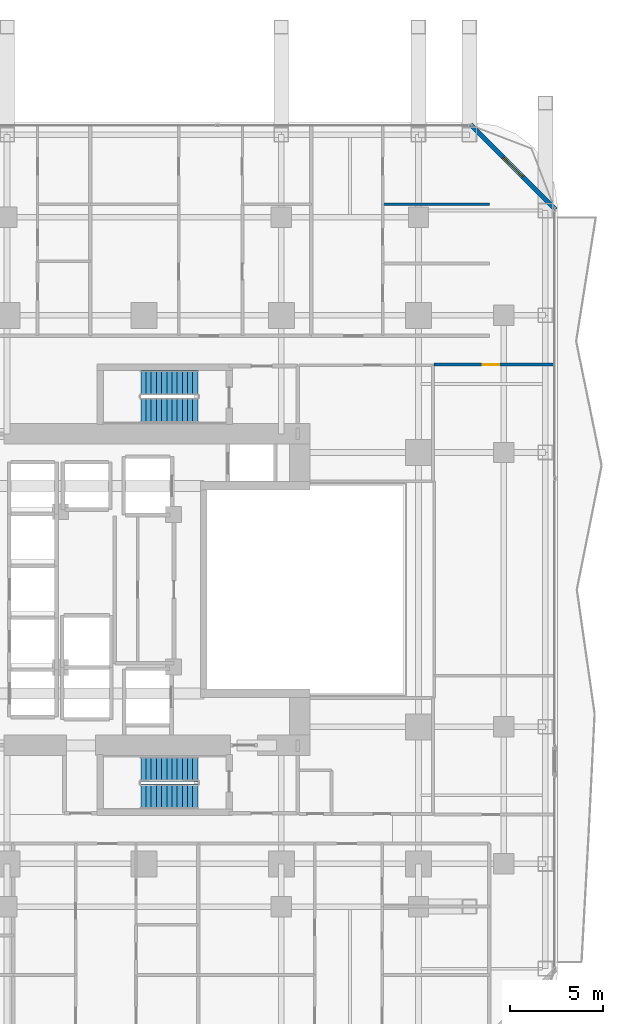
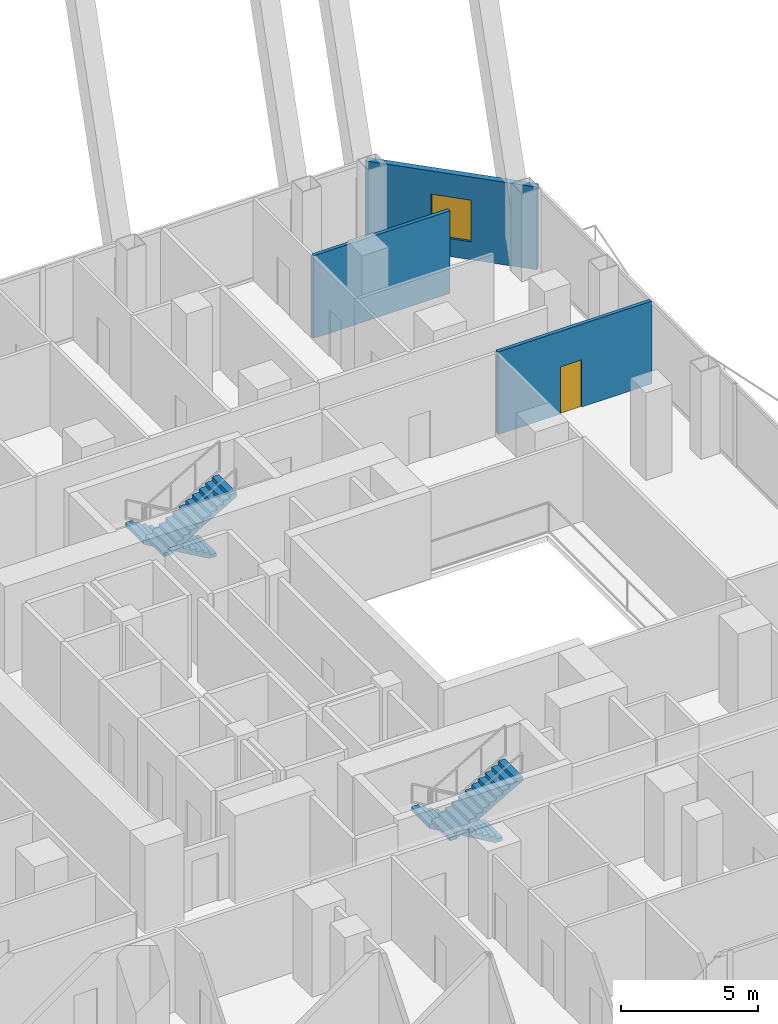
# One storey, part 28 of 33: 4 stair flights, 3 walls, 1 door, 1 window, 2 openings, 2 elements without a shape of their own.
"""IFC4 building model written with IfcOpenShell, lengths in metres."""

from ifc_helpers import new_model, si_unit, direction, frame, frame_2d, origin, place, context, subcontext, project, spatial, polyline, rectangle, outline, extrude, material, layer, layer_set, type_object, element, fill, aggregate, save


model = new_model("IFC4")

# Units and contexts
model_context = context("Model", 3, precision=1e-05, world=origin(), true_north=direction((0.0, 1.0)))
body_context = subcontext(model_context, "Body", "Model", "MODEL_VIEW")
ifc_project = project(units=[si_unit("LENGTHUNIT", "METRE"), si_unit("AREAUNIT", "SQUARE_METRE"), si_unit("VOLUMEUNIT", "CUBIC_METRE"), si_unit("PLANEANGLEUNIT", "RADIAN"), si_unit("MASSUNIT", "GRAM", prefix="KILO")], contexts=[model_context])

# Site, building, storey
site_placement = place(None, origin())
site = spatial("IfcSite", under=ifc_project, at=site_placement, CompositionType="ELEMENT")
building_placement = place(site_placement, origin())
building = spatial("IfcBuilding", under=site, at=building_placement, Name="Khorvyn Point Tower", CompositionType="ELEMENT")
storey_placement = place(building_placement, frame((0.0, 0.0, 65.699951171875)))
storey = spatial("IfcBuildingStorey", under=building, at=storey_placement, Name="L17", CompositionType="ELEMENT", Elevation=65.699951171875)

# Wall, opening, window
ifc_material_1 = material(Name="Pale anodised aluminium rainscreen on steel stud", Category="steel")
ifc_layer_1 = layer(ifc_material_1, 0.239990234375)
ifc_layer_set_1 = layer_set([ifc_layer_1], Name="Anodised Aluminium Insulated Corner Spandrel Wall 240")
wall_type_1 = type_object("IfcWallType", Name="Anodised Aluminium Insulated Corner Spandrel Wall 240", PredefinedType="SOLIDWALL", material=ifc_layer_set_1)
wall_1_placement = place(storey_placement, frame((17.607666015625, 25.09228515625, 0.0), z_axis=(0.0, 0.0, 1.0), x_axis=(0.707106781187, -0.707106781187, 0.0)))
wall_1 = element("IfcWall", 1, at=wall_1_placement, inside=storey, type_object=wall_type_1, Name="L17 Rounded Corner Wall NE", PredefinedType="SOLIDWALL", context=body_context, shape_type="SweptSolid", body=[
    extrude(rectangle(XDim=6.48388671875, YDim=0.239990234375, at=frame_2d((3.241943359375, 0.0))), origin(), (0.0, 0.0, 1.0), 3.679931640625),
])
opening_1_placement = place(wall_1_placement, frame((2.491943359375, 0.0, 0.800048828125)))
opening_1 = element("IfcOpeningElement", 2, at=opening_1_placement, cuts=wall_1, Name="Opening WN-1518", PredefinedType="OPENING", context=body_context, shape_type="SweptSolid", body=[
    extrude(rectangle(XDim=1.5, YDim=1.85009765625, at=frame_2d((0.75, 0.925048828125))), frame((0.0, 0.1298828125, 0.0), z_axis=(0.0, -1.0, 0.0), x_axis=(1.0, 0.0, 0.0)), (0.0, 0.0, 1.0), 0.260009765625),
])
ifc_material_2 = material(Name="Anodised aluminium 6063-T6 and laminated Low-E glass", Category="aluminium")
window_type = type_object("IfcWindowType", Name="Anodised Aluminium Rounded-Corner Panoramic Window 1500x1850", PartitioningType="SINGLE_PANEL", PredefinedType="WINDOW", material=ifc_material_2)
window_placement = place(opening_1_placement, origin())
window = element("IfcWindow", 3, at=window_placement, inside=storey, type_object=window_type, Name="L17 Corner Panoramic Window NE", OverallHeight=1.85009765625, OverallWidth=1.5, PartitioningType="SINGLE_PANEL", PredefinedType="WINDOW", context=body_context, shape_type="SweptSolid", body=[
    extrude(rectangle(XDim=1.5, YDim=1.85009765625, at=frame_2d((0.75, 0.925048828125))), frame((0.0, 0.030029296875, 0.0), z_axis=(0.0, -1.0, 0.0), x_axis=(1.0, 0.0, 0.0)), (0.0, 0.0, 1.0), 0.06005859375),
])
fill(opening_1, window)

# Wall, opening, door
ifc_material_3 = material(Name="Moisture-resistant gypsum and cement board", Category="gypsum")
ifc_layer_2 = layer(ifc_material_3, 0.14990234375)
ifc_layer_set_2 = layer_set([ifc_layer_2], Name="Moisture-Resistant Wet-Room Partition Wall 150")
wall_type_2 = type_object("IfcWallType", Name="Moisture-Resistant Wet-Room Partition Wall 150", PredefinedType="PARTITIONING", material=ifc_layer_set_2)
wall_2_placement = place(storey_placement, frame((15.64990234375, 12.139892578125, 0.0), z_axis=(0.0, 0.0, 1.0), x_axis=(1.0, 0.0, 0.0)))
wall_2 = element("IfcWall", 4, at=wall_2_placement, inside=storey, type_object=wall_type_2, Name="Wall", PredefinedType="PARTITIONING", context=body_context, shape_type="SweptSolid", body=[
    extrude(rectangle(XDim=6.47021484375, YDim=0.14990234375, at=frame_2d((3.235107421875, 0.0))), origin(), (0.0, 0.0, 1.0), 3.679931640625),
])
opening_2_placement = place(wall_2_placement, frame((2.610107421875, 0.0, 0.0)))
opening_2 = element("IfcOpeningElement", 5, at=opening_2_placement, cuts=wall_2, Name="Opening ID-RM90", PredefinedType="OPENING", context=body_context, shape_type="SweptSolid", body=[
    extrude(rectangle(XDim=0.89990234375, YDim=2.10009765625, at=frame_2d((0.449951171875, 1.050048828125))), frame((0.0, 0.0849609375, 0.0), z_axis=(0.0, -1.0, 0.0), x_axis=(1.0, 0.0, 0.0)), (0.0, 0.0, 1.0), 0.169921875),
])
ifc_material_4 = material(Name="Engineered oak veneer timber", Category="wood")
door_type = type_object("IfcDoorType", Name="Flush Engineered Timber Room Door 900x2100", OperationType="NOTDEFINED", PredefinedType="DOOR", material=ifc_material_4)
door_placement = place(opening_2_placement, origin())
door = element("IfcDoor", 6, at=door_placement, inside=storey, type_object=door_type, Name="Door", OperationType="SINGLE_SWING_RIGHT", OverallHeight=2.10009765625, OverallWidth=0.89990234375, PredefinedType="DOOR", context=body_context, shape_type="SweptSolid", body=[
    extrude(rectangle(XDim=0.89990234375, YDim=2.10009765625, at=frame_2d((0.449951171875, 1.050048828125))), frame((0.0, 0.02490234375, 0.0), z_axis=(0.0, -1.0, 0.0), x_axis=(1.0, 0.0, 0.0)), (0.0, 0.0, 1.0), 0.050048828125),
])
fill(opening_2, door)

# Wall
wall_3_placement = place(storey_placement, frame((12.875, 20.7900390625, 0.0), z_axis=(0.0, 0.0, 1.0), x_axis=(1.0, 0.0, 0.0)))
element("IfcWall", 7, at=wall_3_placement, inside=storey, type_object=wall_type_2, Name="Wall", PredefinedType="PARTITIONING", context=body_context, shape_type="SweptSolid", body=[
    extrude(rectangle(XDim=5.7451171875, YDim=0.14990234375, at=frame_2d((2.87255859375, 0.0))), origin(), (0.0, 0.0, 1.0), 3.679931640625),
])

# Stair, stair flights
ifc_material_5 = material(Name="Concrete C40/50", Category="concrete")
stair_type = type_object("IfcStairType", Name="Tower Concrete C40/50 Dogleg Exit Stair", PredefinedType="HALF_TURN_STAIR", material=ifc_material_5)
stair_1_placement = place(storey_placement, origin())
stair_1 = element("IfcStair", 8, at=stair_1_placement, inside=storey, type_object=stair_type, Name="L17 Tower Smokeproof Exit Stair South", PredefinedType="HALF_TURN_STAIR")
stair_flight_type = type_object("IfcStairFlightType", Name="Tower Concrete C40/50 Stair Flight", PredefinedType="STRAIGHT", material=ifc_material_5)
stair_flight_1_placement = place(storey_placement, frame((2.89990234375, -9.679931640625, 0.0), z_axis=(0.0, 0.0, 1.0), x_axis=(-1.0, 0.0, 0.0)))
stair_flight_1 = element("IfcStairFlight", 9, at=stair_flight_1_placement, type_object=stair_flight_type, Name="ST-01 flight 1", NumberOfRisers=12, NumberOfTreads=11, PredefinedType="STRAIGHT", RiserHeight=0.1625, TreadLength=0.28, context=body_context, shape_type="SweptSolid", body=[
    extrude(outline(polyline([(0.0, 0.0), (0.0, 0.16259765625), (0.280029296875, 0.16259765625), (0.280029296875, 0.324951171875), (0.56005859375, 0.324951171875), (0.56005859375, 0.487548828125), (0.840087890625, 0.487548828125), (0.840087890625, 0.64990234375), (1.1201171875, 0.64990234375), (1.1201171875, 0.8125), (1.39990234375, 0.8125), (1.39990234375, 0.97509765625), (1.679931640625, 0.97509765625), (1.679931640625, 1.137451171875), (1.9599609375, 1.137451171875), (1.9599609375, 1.300048828125), (2.239990234375, 1.300048828125), (2.239990234375, 1.46240234375), (2.52001953125, 1.46240234375), (2.52001953125, 1.625), (2.800048828125, 1.625), (2.800048828125, 1.78759765625), (3.080078125, 1.78759765625), (3.080078125, 1.949951171875), (3.080078125, 1.6142578125), (0.298583984375, 0.0), (0.0, 0.0)])), frame((0.0, 0.66015625, 0.0), z_axis=(0.0, -1.0, 0.0), x_axis=(1.0, 0.0, 0.0)), (0.0, 0.0, 1.0), 1.320068359375),
])
stair_flight_2_placement = place(storey_placement, frame((-0.179931640625, -11.159912109375, 1.949951171875), z_axis=(0.0, 0.0, 1.0), x_axis=(1.0, 0.0, 0.0)))
stair_flight_2 = element("IfcStairFlight", 10, at=stair_flight_2_placement, type_object=stair_flight_type, Name="ST-01 flight 2", NumberOfRisers=12, NumberOfTreads=11, PredefinedType="STRAIGHT", RiserHeight=0.1625, TreadLength=0.28, context=body_context, shape_type="SweptSolid", body=[
    extrude(outline(polyline([(0.0, 0.0), (0.0, 0.16259765625), (0.280029296875, 0.16259765625), (0.280029296875, 0.324951171875), (0.56005859375, 0.324951171875), (0.56005859375, 0.487548828125), (0.840087890625, 0.487548828125), (0.840087890625, 0.64990234375), (1.1201171875, 0.64990234375), (1.1201171875, 0.8125), (1.39990234375, 0.8125), (1.39990234375, 0.97509765625), (1.679931640625, 0.97509765625), (1.679931640625, 1.137451171875), (1.9599609375, 1.137451171875), (1.9599609375, 1.300048828125), (2.239990234375, 1.300048828125), (2.239990234375, 1.46240234375), (2.52001953125, 1.46240234375), (2.52001953125, 1.625), (2.800048828125, 1.625), (2.800048828125, 1.78759765625), (3.080078125, 1.78759765625), (3.080078125, 1.949951171875), (3.080078125, 1.6142578125), (0.298583984375, 0.0), (0.0, 0.0)])), frame((0.0, 0.66015625, 0.0), z_axis=(0.0, -1.0, 0.0), x_axis=(1.0, 0.0, 0.0)), (0.0, 0.0, 1.0), 1.320068359375),
])
aggregate(stair_1, [stair_flight_1, stair_flight_2])

stair_2_placement = place(storey_placement, origin())
stair_2 = element("IfcStair", 11, at=stair_2_placement, inside=storey, type_object=stair_type, Name="L17 Tower Smokeproof Exit Stair North", PredefinedType="HALF_TURN_STAIR")
stair_flight_3_placement = place(storey_placement, frame((2.89990234375, 11.159912109375, 0.0), z_axis=(0.0, 0.0, 1.0), x_axis=(-1.0, 0.0, 0.0)))
stair_flight_3 = element("IfcStairFlight", 12, at=stair_flight_3_placement, type_object=stair_flight_type, Name="ST-02 flight 1", NumberOfRisers=12, NumberOfTreads=11, PredefinedType="STRAIGHT", RiserHeight=0.1625, TreadLength=0.28, context=body_context, shape_type="SweptSolid", body=[
    extrude(outline(polyline([(0.0, 0.0), (0.0, 0.16259765625), (0.280029296875, 0.16259765625), (0.280029296875, 0.324951171875), (0.56005859375, 0.324951171875), (0.56005859375, 0.487548828125), (0.840087890625, 0.487548828125), (0.840087890625, 0.64990234375), (1.1201171875, 0.64990234375), (1.1201171875, 0.8125), (1.39990234375, 0.8125), (1.39990234375, 0.97509765625), (1.679931640625, 0.97509765625), (1.679931640625, 1.137451171875), (1.9599609375, 1.137451171875), (1.9599609375, 1.300048828125), (2.239990234375, 1.300048828125), (2.239990234375, 1.46240234375), (2.52001953125, 1.46240234375), (2.52001953125, 1.625), (2.800048828125, 1.625), (2.800048828125, 1.78759765625), (3.080078125, 1.78759765625), (3.080078125, 1.949951171875), (3.080078125, 1.6142578125), (0.298583984375, 0.0), (0.0, 0.0)])), frame((0.0, 0.66015625, 0.0), z_axis=(0.0, -1.0, 0.0), x_axis=(1.0, 0.0, 0.0)), (0.0, 0.0, 1.0), 1.320068359375),
])
stair_flight_4_placement = place(storey_placement, frame((-0.179931640625, 9.679931640625, 1.949951171875), z_axis=(0.0, 0.0, 1.0), x_axis=(1.0, 0.0, 0.0)))
stair_flight_4 = element("IfcStairFlight", 13, at=stair_flight_4_placement, type_object=stair_flight_type, Name="ST-02 flight 2", NumberOfRisers=12, NumberOfTreads=11, PredefinedType="STRAIGHT", RiserHeight=0.1625, TreadLength=0.28, context=body_context, shape_type="SweptSolid", body=[
    extrude(outline(polyline([(0.0, 0.0), (0.0, 0.16259765625), (0.280029296875, 0.16259765625), (0.280029296875, 0.324951171875), (0.56005859375, 0.324951171875), (0.56005859375, 0.487548828125), (0.840087890625, 0.487548828125), (0.840087890625, 0.64990234375), (1.1201171875, 0.64990234375), (1.1201171875, 0.8125), (1.39990234375, 0.8125), (1.39990234375, 0.97509765625), (1.679931640625, 0.97509765625), (1.679931640625, 1.137451171875), (1.9599609375, 1.137451171875), (1.9599609375, 1.300048828125), (2.239990234375, 1.300048828125), (2.239990234375, 1.46240234375), (2.52001953125, 1.46240234375), (2.52001953125, 1.625), (2.800048828125, 1.625), (2.800048828125, 1.78759765625), (3.080078125, 1.78759765625), (3.080078125, 1.949951171875), (3.080078125, 1.6142578125), (0.298583984375, 0.0), (0.0, 0.0)])), frame((0.0, 0.66015625, 0.0), z_axis=(0.0, -1.0, 0.0), x_axis=(1.0, 0.0, 0.0)), (0.0, 0.0, 1.0), 1.320068359375),
])
aggregate(stair_2, [stair_flight_3, stair_flight_4])

save(model, "model.ifc")
